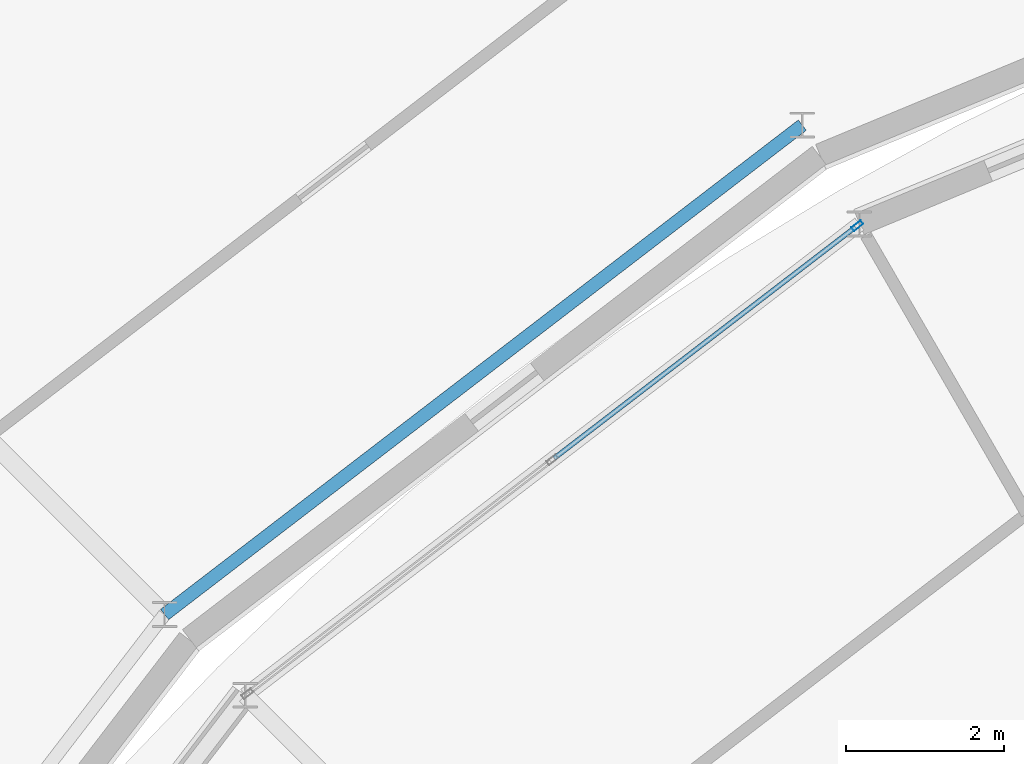
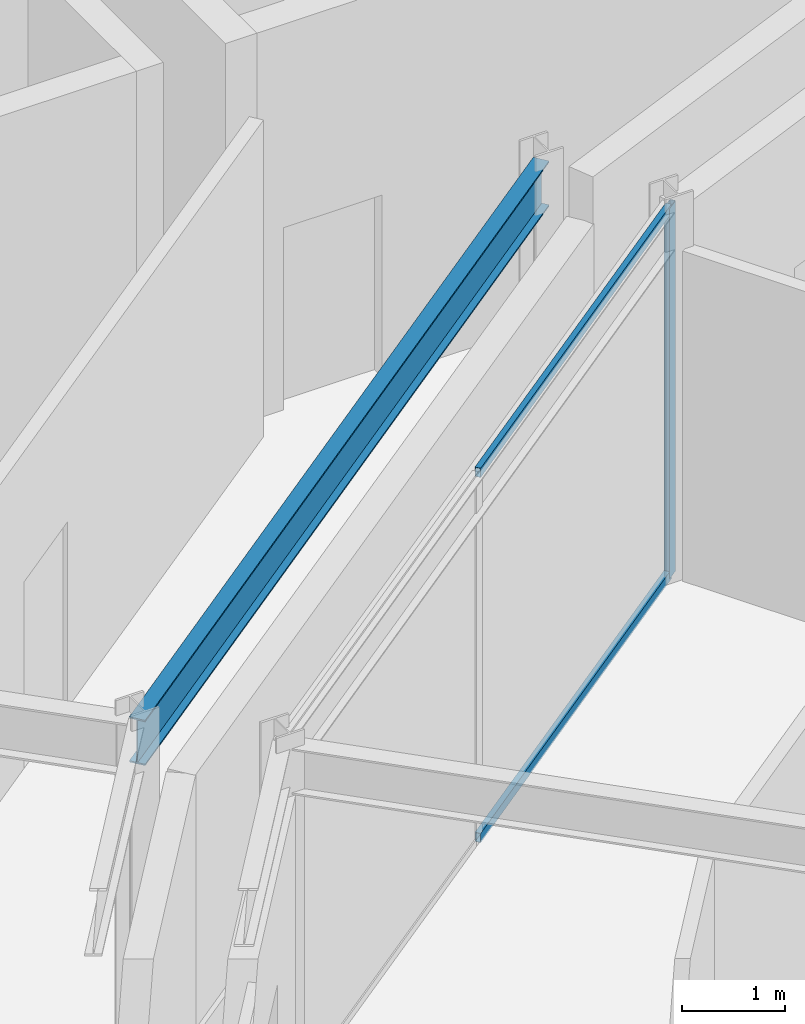
# One storey, part 56 of 133: 3 members, 1 beam, 1 element without a shape of its own.
"""IFC4 building model written with IfcOpenShell, lengths in metres."""

from ifc_helpers import new_model, si_unit, direction, frame, origin, origin_2d, place, context, subcontext, project, spatial, hollow_rectangle, i_section, extrude, material, material_profile, profile_set, type_object, element, aggregate, save


model = new_model("IFC4")

# Units and contexts
model_context = context("Model", 3, precision=1e-05, world=origin(), true_north=direction((0.0, 1.0)))
body_context = subcontext(model_context, "Body", "Model", "MODEL_VIEW")
ifc_project = project(units=[si_unit("LENGTHUNIT", "METRE"), si_unit("AREAUNIT", "SQUARE_METRE"), si_unit("VOLUMEUNIT", "CUBIC_METRE"), si_unit("PLANEANGLEUNIT", "RADIAN"), si_unit("MASSUNIT", "GRAM", prefix="KILO")], contexts=[model_context])

# Site, building, storey
site_placement = place(None, origin())
site = spatial("IfcSite", under=ifc_project, at=site_placement, CompositionType="ELEMENT")
building_placement = place(site_placement, origin())
building = spatial("IfcBuilding", under=site, at=building_placement, Name="Almandine Court Research Institute", CompositionType="ELEMENT")
storey_placement = place(building_placement, frame((0.0, 0.0, 9.800048828125)))
storey = spatial("IfcBuildingStorey", under=building, at=storey_placement, Name="L02", CompositionType="ELEMENT", Elevation=9.800048828125)

# Beam
ifc_material_1 = material(Name="Steel ASTM A992 Grade 50", Category="steel")
ifc_material_profile_1 = material_profile(ifc_material_1, i_section(OverallWidth=0.166015625, OverallDepth=0.534912109375, WebThickness=0.010009765625, FlangeThickness=0.01708984375, at=origin_2d()), Name="W530x85")
ifc_profile_set_1 = profile_set([ifc_material_profile_1], Name="Steel ASTM A992 Grade 50")
beam_type = type_object("IfcBeamType", Name="Beam-G-05-E", PredefinedType="SPANDREL", material=ifc_profile_set_1)
beam_placement = place(storey_placement, frame((67.449951171875, 89.862060546875, 4.10205078125), z_axis=(-0.793335653042, -0.608784478787, 0.0), x_axis=(0.608784478787, -0.793335653042, 0.0)))
element("IfcBeam", 1, at=beam_placement, inside=storey, type_object=beam_type, Name="L02 Drum IN Ring Beam 08", PredefinedType="SPANDREL", context=body_context, shape_type="SweptSolid", body=[
    extrude(i_section(OverallWidth=0.166015625, OverallDepth=0.534912109375, WebThickness=0.010009765625, FlangeThickness=0.01708984375, at=origin_2d()), origin(), (0.0, 0.0, 1.0), 10.20751953125),
])

# Curtain wall, members
ifc_material_2 = material(Name="Unitised Curtain Wall Framing and Solar Glazing", Category="glass")
curtain_wall_type = type_object("IfcCurtainWallType", Name="CW-CWG-24", PredefinedType="USERDEFINED", material=ifc_material_2)
curtain_wall_placement = place(storey_placement, origin())
curtain_wall = element("IfcCurtainWall", 2, at=curtain_wall_placement, inside=storey, type_object=curtain_wall_type, Name="L02 Interaction Atrium Perimeter Curtain Wall 08", ObjectType="UNITISED GLAZING", PredefinedType="USERDEFINED")
ifc_material_3 = material(Name="Anodised Aluminium AW-6063-T6", Category="aluminium")
ifc_material_profile_2 = material_profile(ifc_material_3, hollow_rectangle(XDim=0.06005859375, YDim=0.14990234375, WallThickness=0.00390625, at=origin_2d()), Name="ALU RHS 60x150x4")
ifc_profile_set_2 = profile_set([ifc_material_profile_2], Name="Anodised Aluminium AW-6063-T6")
member_type_1 = type_object("IfcMemberType", Name="CWMul-60x150", PredefinedType="MULLION", material=ifc_profile_set_2)
member_1_placement = place(storey_placement, frame((68.148193359375, 88.585693359375, 0.0), z_axis=(0.0, 0.0, 1.0), x_axis=(-0.608760667029, 0.793353924979, 0.0)))
member_1 = element("IfcMember", 3, at=member_1_placement, type_object=member_type_1, Name="CWG-24 mullion 3", PredefinedType="MULLION", context=body_context, shape_type="SweptSolid", body=[
    extrude(hollow_rectangle(XDim=0.06005859375, YDim=0.14990234375, WallThickness=0.00390625, at=origin_2d()), origin(), (0.0, 0.0, 1.0), 4.369873046875),
])
ifc_material_profile_3 = material_profile(ifc_material_3, hollow_rectangle(XDim=0.06005859375, YDim=0.110107421875, WallThickness=0.00390625, at=origin_2d()), Name="ALU RHS 60x110x4")
ifc_profile_set_3 = profile_set([ifc_material_profile_3], Name="Anodised Aluminium AW-6063-T6")
member_type_2 = type_object("IfcMemberType", Name="CWTrn-60x110", PredefinedType="NOTDEFINED", material=ifc_profile_set_3)
member_2_placement = place(storey_placement, frame((64.2998046875, 85.6328125, 0.030029296875), z_axis=(0.793376443338, 0.608731319349, 0.0), x_axis=(-0.608731319349, 0.793376443338, 0.0)))
member_2 = element("IfcMember", 4, at=member_2_placement, type_object=member_type_2, Name="CWG-24 transom 2.1", ObjectType="TRANSOM", PredefinedType="USERDEFINED", context=body_context, shape_type="SweptSolid", body=[
    extrude(hollow_rectangle(XDim=0.06005859375, YDim=0.110107421875, WallThickness=0.00390625, at=origin_2d()), origin(), (0.0, 0.0, 1.0), 4.82080078125),
])
member_3_placement = place(storey_placement, frame((64.2998046875, 85.6328125, 4.33984375), z_axis=(0.793376443338, 0.608731319349, 0.0), x_axis=(-0.608731319349, 0.793376443338, 0.0)))
member_3 = element("IfcMember", 5, at=member_3_placement, type_object=member_type_2, Name="CWG-24 transom 2.2", ObjectType="TRANSOM", PredefinedType="USERDEFINED", context=body_context, shape_type="SweptSolid", body=[
    extrude(hollow_rectangle(XDim=0.06005859375, YDim=0.110107421875, WallThickness=0.00390625, at=origin_2d()), origin(), (0.0, 0.0, 1.0), 4.82080078125),
])
aggregate(curtain_wall, [member_1, member_2, member_3])

save(model, "model.ifc")
